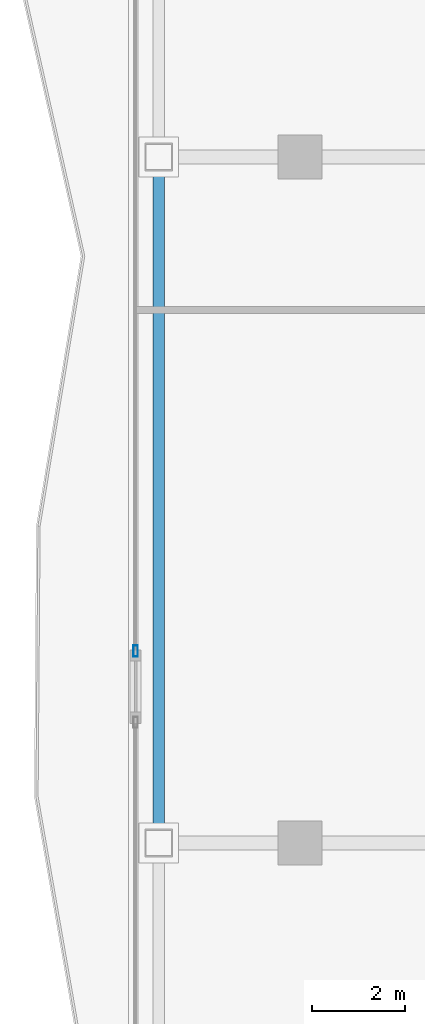
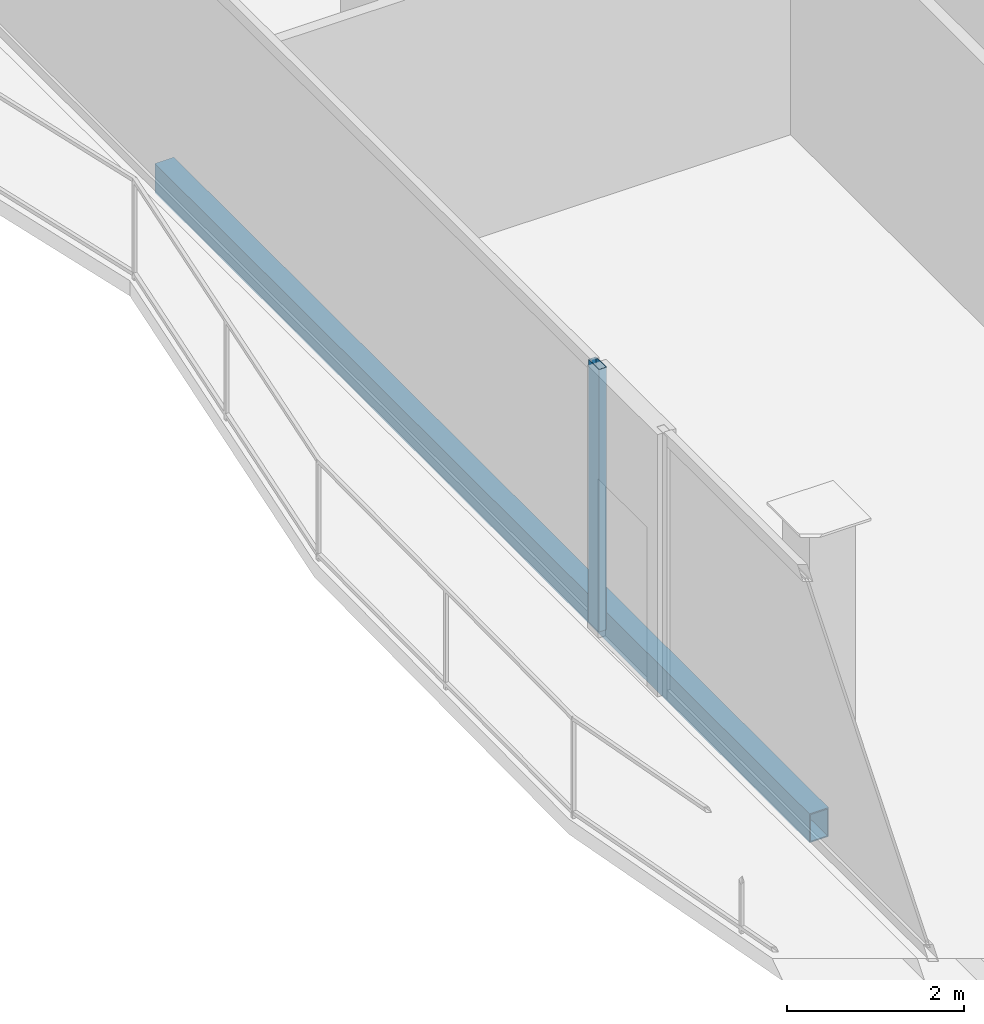
# One storey, part 8 of 26: 1 beam, 1 member, 1 element without a shape of its own.
"""IFC4 building model written with IfcOpenShell, lengths in metres."""

from ifc_helpers import new_model, si_unit, direction, frame, origin, origin_2d, place, context, subcontext, project, spatial, hollow_rectangle, extrude, material, layer, layer_set, material_profile, profile_set, type_object, element, aggregate, save


model = new_model("IFC4")

# Units and contexts
model_context = context("Model", 3, precision=1e-05, world=origin(), true_north=direction((0.0, 1.0)))
body_context = subcontext(model_context, "Body", "Model", "MODEL_VIEW")
ifc_project = project(units=[si_unit("LENGTHUNIT", "METRE"), si_unit("AREAUNIT", "SQUARE_METRE"), si_unit("VOLUMEUNIT", "CUBIC_METRE"), si_unit("PLANEANGLEUNIT", "RADIAN"), si_unit("MASSUNIT", "GRAM", prefix="KILO")], contexts=[model_context])

# Site, building, storey
site_placement = place(None, origin())
site = spatial("IfcSite", under=ifc_project, at=site_placement, CompositionType="ELEMENT")
building_placement = place(site_placement, origin())
building = spatial("IfcBuilding", under=site, at=building_placement, Name="Khorvyn Point Tower", CompositionType="ELEMENT")
storey_placement = place(building_placement, frame((0.0, 0.0, 250.800048828125)))
storey = spatial("IfcBuildingStorey", under=building, at=storey_placement, Name="L61", CompositionType="ELEMENT", Elevation=250.800048828125)

# Curtain wall, member
ifc_material_1 = material(Name="Anodised aluminium 6063-T6 and laminated Low-E glass", Category="aluminium")
ifc_layer = layer(ifc_material_1, 0.18994140625)
ifc_layer_set = layer_set([ifc_layer], Name="Stick-Built Acoustic Curtain Wall CW-SYS-03")
curtain_wall_type = type_object("IfcCurtainWallType", Name="Stick-Built Acoustic Curtain Wall CW-SYS-03", PredefinedType="NOTDEFINED", material=ifc_layer_set)
curtain_wall_placement = place(storey_placement, origin())
curtain_wall = element("IfcCurtainWall", 1, at=curtain_wall_placement, inside=storey, type_object=curtain_wall_type, Name="Curtain Wall", PredefinedType="NOTDEFINED")
ifc_material_2 = material(Name="Anodised aluminium 6063-T6", Category="aluminium")
ifc_material_profile_1 = material_profile(ifc_material_2, hollow_rectangle(XDim=0.10009765625, YDim=0.239990234375, WallThickness=0.0048828125, at=origin_2d()))
ifc_profile_set_1 = profile_set([ifc_material_profile_1], Name="Anodised aluminium 6063-T6 ALU-MUL-100x240")
member_type = type_object("IfcMemberType", Name="Anodised Aluminium 6063-T6 Mullion ALU-MUL-100x240", PredefinedType="MULLION", material=ifc_profile_set_1)
member_placement = place(storey_placement, frame((-18.35009765625, -3.260009765625, 0.0), z_axis=(0.0, 0.0, 1.0), x_axis=(-1.0, 0.0, 0.0)))
member = element("IfcMember", 2, at=member_placement, type_object=member_type, Name="Transom", PredefinedType="MULLION", context=body_context, shape_type="SweptSolid", body=[
    extrude(hollow_rectangle(XDim=0.10009765625, YDim=0.239990234375, WallThickness=0.0048828125, at=origin_2d()), origin(), (0.0, 0.0, 1.0), 3.619873046875),
])
aggregate(curtain_wall, [member])

# Beam
ifc_material_3 = material(Name="Steel S355", Category="steel")
ifc_material_profile_2 = material_profile(ifc_material_3, hollow_rectangle(XDim=0.25, YDim=0.39990234375, WallThickness=0.01611328125, at=origin_2d()))
ifc_profile_set_2 = profile_set([ifc_material_profile_2], Name="Steel S355 RHS400x250x16")
beam_type = type_object("IfcBeamType", Name="Steel S355 Spandrel RHS400x250x16", PredefinedType="SPANDREL", material=ifc_profile_set_2)
beam_placement = place(storey_placement, frame((-17.85009765625, -7.39990234375, -0.420166015625), z_axis=(0.0, 1.0, 0.0), x_axis=(-1.0, 0.0, 0.0)))
element("IfcBeam", 3, at=beam_placement, inside=storey, type_object=beam_type, Name="Beam", PredefinedType="SPANDREL", context=body_context, shape_type="SweptSolid", body=[
    extrude(hollow_rectangle(XDim=0.25, YDim=0.39990234375, WallThickness=0.01611328125, at=origin_2d()), origin(), (0.0, 0.0, 1.0), 14.7998046875),
])

save(model, "model.ifc")
